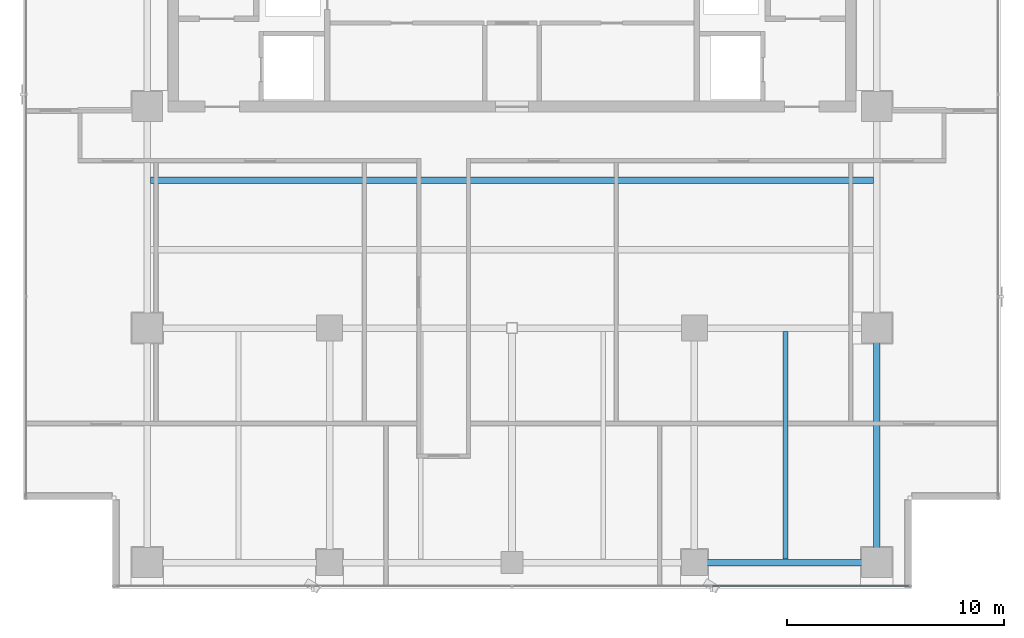
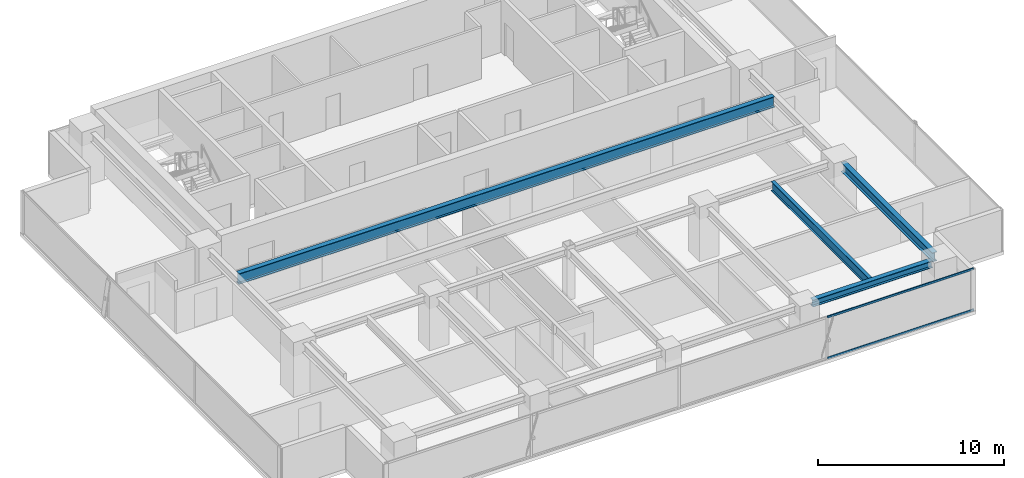
# One storey, part 10 of 26: 4 beams, 2 members, 1 element without a shape of its own.
"""IFC4 building model written with IfcOpenShell, lengths in metres."""

from ifc_helpers import new_model, si_unit, direction, frame, origin, origin_2d, place, context, subcontext, project, spatial, hollow_rectangle, i_section, extrude, source, transform, mapped, material, layer, layer_set, material_profile, profile_set, type_object, element, aggregate, save


model = new_model("IFC4")

# Units and contexts
model_context = context("Model", 3, precision=1e-05, world=origin(), true_north=direction((0.0, 1.0)))
body_context = subcontext(model_context, "Body", "Model", "MODEL_VIEW")
ifc_project = project(units=[si_unit("LENGTHUNIT", "METRE"), si_unit("AREAUNIT", "SQUARE_METRE"), si_unit("VOLUMEUNIT", "CUBIC_METRE"), si_unit("PLANEANGLEUNIT", "RADIAN"), si_unit("MASSUNIT", "GRAM", prefix="KILO")], contexts=[model_context])

# Site, building, storey
site_placement = place(None, origin())
site = spatial("IfcSite", under=ifc_project, at=site_placement, CompositionType="ELEMENT")
building_placement = place(site_placement, origin())
building = spatial("IfcBuilding", under=site, at=building_placement, Name="Sumidabori Civic Tower", CompositionType="ELEMENT")
storey_placement = place(building_placement, frame((0.0, 0.0, 264.800048828125)))
storey = spatial("IfcBuildingStorey", under=building, at=storey_placement, Name="L69", CompositionType="ELEMENT", Elevation=264.800048828125)

# Beams
ifc_material_1 = material(Name="Steel SN490", Category="steel")
ifc_material_profile_1 = material_profile(ifc_material_1, i_section(OverallWidth=0.300048828125, OverallDepth=0.60009765625, WebThickness=0.015380859375, FlangeThickness=0.030029296875, at=origin_2d()), Name="HE 600 B")
ifc_profile_set_1 = profile_set([ifc_material_profile_1], Name="Steel SN490")
beam_type_1 = type_object("IfcBeamType", Name="BM-GIRD-600", PredefinedType="BEAM", material=ifc_profile_set_1)
shared_shape_1 = source(origin(), body_context, "Body", "SweptSolid", [
    extrude(i_section(OverallWidth=0.300048828125, OverallDepth=0.60009765625, WebThickness=0.015380859375, FlangeThickness=0.030029296875, at=origin_2d()), origin(), (0.0, 0.0, 1.0), 9.840087890625),
])
beam_1_placement = place(storey_placement, frame((16.800048828125, -10.320068359375, 3.070068359375), z_axis=(0.0, 1.0, 0.0), x_axis=(-1.0, 0.0, 0.0)))
element("IfcBeam", 1, at=beam_1_placement, inside=storey, type_object=beam_type_1, Name="Primary Girder L69 GY-15", PredefinedType="BEAM", context=body_context, shape_type="MappedRepresentation", body=[
    mapped(shared_shape_1, transform((0.0, 0.0, 0.0), x_axis=(1.0, 0.0, 0.0), y_axis=(0.0, 1.0, 0.0), z_axis=(0.0, 0.0, 1.0), scale=1.0)),
])
ifc_material_profile_2 = material_profile(ifc_material_1, i_section(OverallWidth=0.300048828125, OverallDepth=0.699951171875, WebThickness=0.01708984375, FlangeThickness=0.031982421875, at=origin_2d()), Name="HE 700 B")
ifc_profile_set_2 = profile_set([ifc_material_profile_2], Name="Steel SN490")
beam_type_2 = type_object("IfcBeamType", Name="BM-GIRD-700", PredefinedType="BEAM", material=ifc_profile_set_2)
shared_shape_2 = source(origin(), body_context, "Body", "SweptSolid", [
    extrude(i_section(OverallWidth=0.300048828125, OverallDepth=0.699951171875, WebThickness=0.01708984375, FlangeThickness=0.031982421875, at=origin_2d()), origin(), (0.0, 0.0, 1.0), 33.2998046875),
])
beam_2_placement = place(storey_placement, frame((-16.64990234375, 6.800048828125, 3.02001953125), z_axis=(1.0, 0.0, 0.0), x_axis=(0.0, 1.0, 0.0)))
element("IfcBeam", 2, at=beam_2_placement, inside=storey, type_object=beam_type_2, Name="North Bay Floor Beam L69 JSTN-19", PredefinedType="BEAM", context=body_context, shape_type="MappedRepresentation", body=[
    mapped(shared_shape_2, transform((0.0, 0.0, 0.0), x_axis=(1.0, 0.0, 0.0), y_axis=(0.0, 1.0, 0.0), z_axis=(0.0, 0.0, 1.0), scale=1.0)),
])
ifc_material_profile_3 = material_profile(ifc_material_1, i_section(OverallWidth=0.300048828125, OverallDepth=0.449951171875, WebThickness=0.013916015625, FlangeThickness=0.02587890625, at=origin_2d()), Name="HE 450 B")
ifc_profile_set_3 = profile_set([ifc_material_profile_3], Name="Steel SN490")
beam_type_3 = type_object("IfcBeamType", Name="BM-GIRD-450", PredefinedType="BEAM", material=ifc_profile_set_3)
shared_shape_3 = source(origin(), body_context, "Body", "SweptSolid", [
    extrude(i_section(OverallWidth=0.300048828125, OverallDepth=0.449951171875, WebThickness=0.013916015625, FlangeThickness=0.02587890625, at=origin_2d()), origin(), (0.0, 0.0, 1.0), 7.440185546875),
])
beam_3_placement = place(storey_placement, frame((8.8798828125, -10.800048828125, 3.14501953125), z_axis=(1.0, 0.0, 0.0), x_axis=(0.0, 1.0, 0.0)))
element("IfcBeam", 3, at=beam_3_placement, inside=storey, type_object=beam_type_3, Name="Primary Girder L69 GX-04", PredefinedType="BEAM", context=body_context, shape_type="MappedRepresentation", body=[
    mapped(shared_shape_3, transform((0.0, 0.0, 0.0), x_axis=(1.0, 0.0, 0.0), y_axis=(0.0, 1.0, 0.0), z_axis=(0.0, 0.0, 1.0), scale=1.0)),
])
ifc_material_profile_4 = material_profile(ifc_material_1, i_section(OverallWidth=0.219970703125, OverallDepth=0.60009765625, WebThickness=0.011962890625, FlangeThickness=0.01904296875, at=origin_2d()), Name="IPE 600")
ifc_profile_set_4 = profile_set([ifc_material_profile_4], Name="Steel SN490")
beam_type_4 = type_object("IfcBeamType", Name="BM-JST-600", PredefinedType="JOIST", material=ifc_profile_set_4)
shared_shape_4 = source(origin(), body_context, "Body", "SweptSolid", [
    extrude(i_section(OverallWidth=0.219970703125, OverallDepth=0.60009765625, WebThickness=0.011962890625, FlangeThickness=0.01904296875, at=origin_2d()), origin(), (0.0, 0.0, 1.0), 10.5),
])
beam_4_placement = place(storey_placement, frame((12.60009765625, -10.64990234375, 3.070068359375), z_axis=(0.0, 1.0, 0.0), x_axis=(-1.0, 0.0, 0.0)))
element("IfcBeam", 4, at=beam_4_placement, inside=storey, type_object=beam_type_4, Name="Upper Lens N-S Floor Joist L69 JSTV-23", PredefinedType="JOIST", context=body_context, shape_type="MappedRepresentation", body=[
    mapped(shared_shape_4, transform((0.0, 0.0, 0.0), x_axis=(1.0, 0.0, 0.0), y_axis=(0.0, 1.0, 0.0), z_axis=(0.0, 0.0, 1.0), scale=1.0)),
])

# Curtain wall, members
ifc_material_2 = material(Name="Anodised Bronze Aluminium AW-6063-T6", Category="aluminium")
ifc_layer = layer(ifc_material_2, 0.179931640625, Name="Anodised Bronze Aluminium AW-6063-T6")
ifc_layer_set = layer_set([ifc_layer], Name="Anodised Bronze Aluminium AW-6063-T6")
curtain_wall_type = type_object("IfcCurtainWallType", Name="CW-SYS-5", PredefinedType="NOTDEFINED", material=ifc_layer_set)
curtain_wall_placement = place(storey_placement, origin())
curtain_wall = element("IfcCurtainWall", 5, at=curtain_wall_placement, inside=storey, type_object=curtain_wall_type, Name="Curtain Wall CW:L69:R01", PredefinedType="NOTDEFINED")
ifc_material_profile_5 = material_profile(ifc_material_2, hollow_rectangle(XDim=0.06005859375, YDim=0.1298828125, WallThickness=0.0048828125, at=origin_2d()), Name="ALU TRANSOM 130x60")
ifc_profile_set_5 = profile_set([ifc_material_profile_5], Name="Anodised Bronze Aluminium AW-6063-T6")
member_type = type_object("IfcMemberType", Name="CW-TRN-130", PredefinedType="USERDEFINED", material=ifc_profile_set_5)
shared_shape_5 = source(origin(), body_context, "Body", "SweptSolid", [
    extrude(hollow_rectangle(XDim=0.06005859375, YDim=0.1298828125, WallThickness=0.0048828125, at=origin_2d()), origin(), (0.0, 0.0, 1.0), 9.094970703125),
])
member_1_placement = place(storey_placement, frame((9.215087890625, -11.8798828125, 0.030029296875), z_axis=(1.0, 0.0, 0.0), x_axis=(0.0, 1.0, 0.0)))
member_1 = element("IfcMember", 6, at=member_1_placement, type_object=member_type, Name="CW-5 transom 4.1", ObjectType="TRANSOM", PredefinedType="USERDEFINED", context=body_context, shape_type="MappedRepresentation", body=[
    mapped(shared_shape_5, transform((0.0, 0.0, 0.0), x_axis=(1.0, 0.0, 0.0), y_axis=(0.0, 1.0, 0.0), z_axis=(0.0, 0.0, 1.0), scale=1.0)),
])
member_2_placement = place(storey_placement, frame((9.215087890625, -11.8798828125, 2.719970703125), z_axis=(1.0, 0.0, 0.0), x_axis=(0.0, 1.0, 0.0)))
member_2 = element("IfcMember", 7, at=member_2_placement, type_object=member_type, Name="CW-5 transom 4.2", ObjectType="TRANSOM", PredefinedType="USERDEFINED", context=body_context, shape_type="MappedRepresentation", body=[
    mapped(shared_shape_5, transform((0.0, 0.0, 0.0), x_axis=(1.0, 0.0, 0.0), y_axis=(0.0, 1.0, 0.0), z_axis=(0.0, 0.0, 1.0), scale=1.0)),
])
aggregate(curtain_wall, [member_1, member_2])

save(model, "model.ifc")
